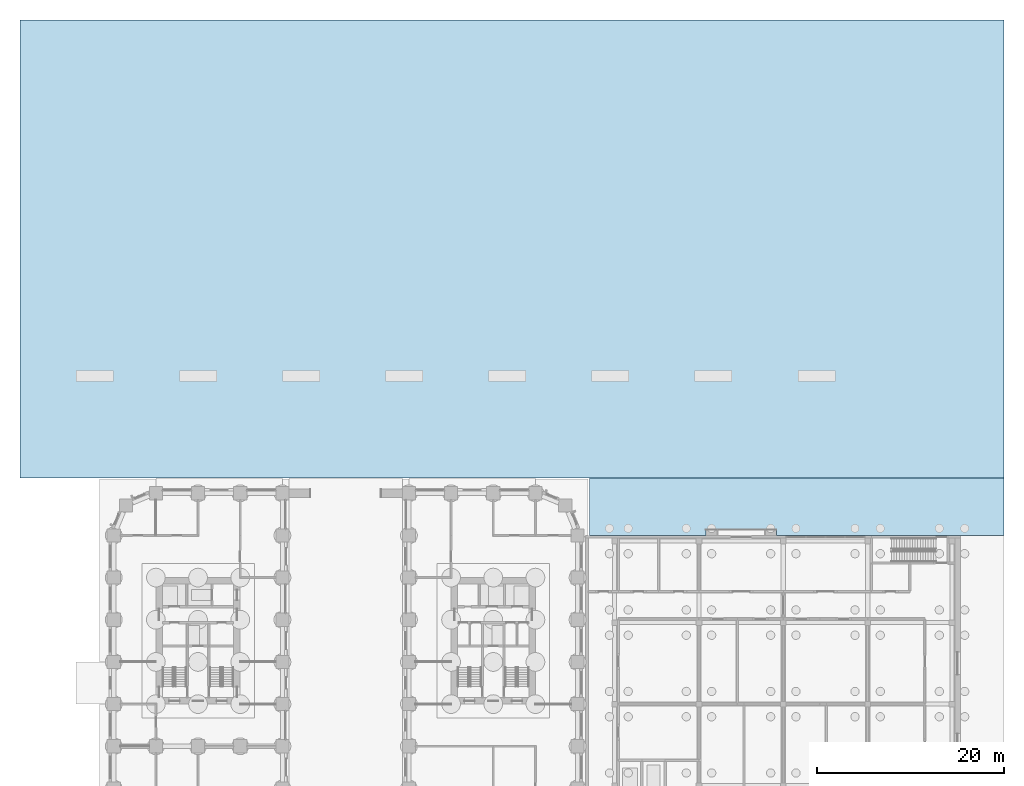
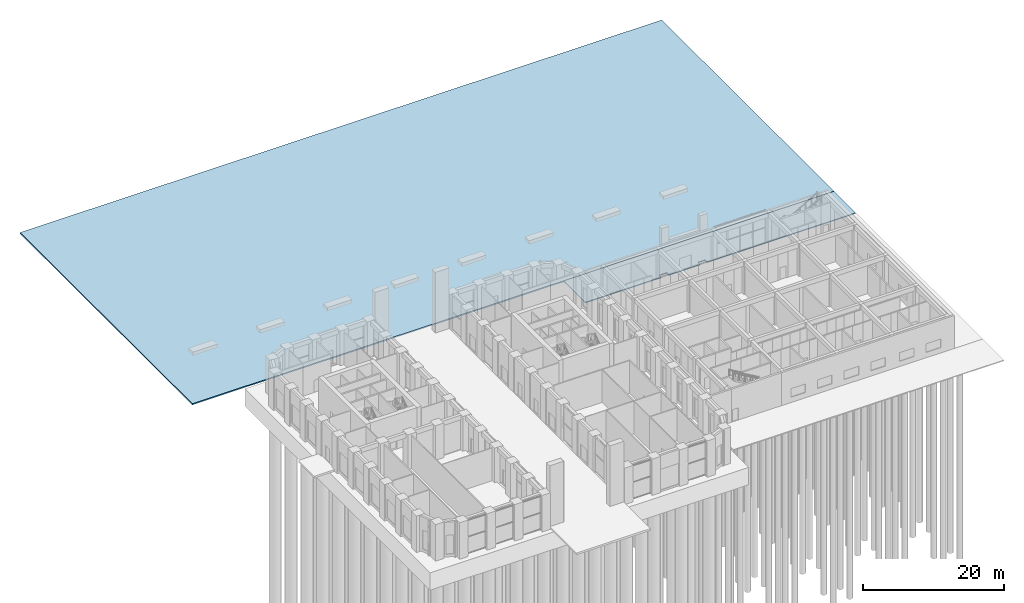
# One storey, part 13 of 31: 2 slabs.
"""IFC4 building model written with IfcOpenShell, lengths in metres."""

from ifc_helpers import new_model, si_unit, direction, frame, origin, place, context, subcontext, project, spatial, polyline, outline, extrude, material, layer, layer_set, type_object, element, save


model = new_model("IFC4")

# Units and contexts
model_context = context("Model", 3, precision=1e-05, world=origin(), true_north=direction((0.0, 1.0)))
body_context = subcontext(model_context, "Body", "Model", "MODEL_VIEW")
ifc_project = project(units=[si_unit("LENGTHUNIT", "METRE"), si_unit("AREAUNIT", "SQUARE_METRE"), si_unit("VOLUMEUNIT", "CUBIC_METRE"), si_unit("PLANEANGLEUNIT", "RADIAN"), si_unit("MASSUNIT", "GRAM", prefix="KILO")], contexts=[model_context])

# Site, building, storey
site_placement = place(None, origin())
site = spatial("IfcSite", under=ifc_project, at=site_placement, CompositionType="ELEMENT")
building_placement = place(site_placement, origin())
building = spatial("IfcBuilding", under=site, at=building_placement, Name="Girih Gate Residences", CompositionType="ELEMENT")
storey_placement = place(building_placement, origin())
storey = spatial("IfcBuildingStorey", under=building, at=storey_placement, Name="L00", CompositionType="ELEMENT", Elevation=0.0)

# Slabs
ifc_material = material(Name="Concrete paving", Category="concrete")
ifc_layer_1 = layer(ifc_material, 0.14990234375)
ifc_layer_set_1 = layer_set([ifc_layer_1], Name="HC Footway paving 150")
slab_type_1 = type_object("IfcSlabType", Name="HC Footway paving 150", PredefinedType="USERDEFINED", material=ifc_layer_set_1)
slab_1_placement = place(storey_placement, frame((0.0, 0.0, -0.14990234375)))
element("IfcSlab", 1, at=slab_1_placement, inside=storey, type_object=slab_type_1, Name="Health centre north forecourt paving", ObjectType="PAVING", PredefinedType="USERDEFINED", context=body_context, shape_type="SweptSolid", body=[
    extrude(outline(polyline([(50.75, 51.14990234375), (95.0, 51.14990234375), (95.0, 45.0), (70.699951171875, 45.0), (70.699951171875, 45.60009765625), (69.5, 45.60009765625), (69.5, 45.0), (64.39990234375, 45.0), (64.39990234375, 45.60009765625), (63.199951171875, 45.60009765625), (63.199951171875, 45.0), (50.75, 45.0), (50.75, 51.14990234375)])), origin(), (0.0, 0.0, 1.0), 0.14990234375),
])
ifc_layer_2 = layer(ifc_material, 0.199951171875)
ifc_layer_set_2 = layer_set([ifc_layer_2], Name="HC Paving 200")
slab_type_2 = type_object("IfcSlabType", Name="HC Paving 200", PredefinedType="USERDEFINED", material=ifc_layer_set_2)
slab_2_placement = place(storey_placement, frame((0.0, 0.0, -0.199951171875)))
element("IfcSlab", 2, at=slab_2_placement, inside=storey, type_object=slab_type_2, Name="Girih Gate Plaza paving", ObjectType="PAVING", PredefinedType="USERDEFINED", context=body_context, shape_type="SweptSolid", body=[
    extrude(outline(polyline([(-10.0, 51.14990234375), (95.0, 51.14990234375), (95.0, 100.0), (-10.0, 100.0), (-10.0, 51.14990234375)])), origin(), (0.0, 0.0, 1.0), 0.199951171875),
])

save(model, "model.ifc")
